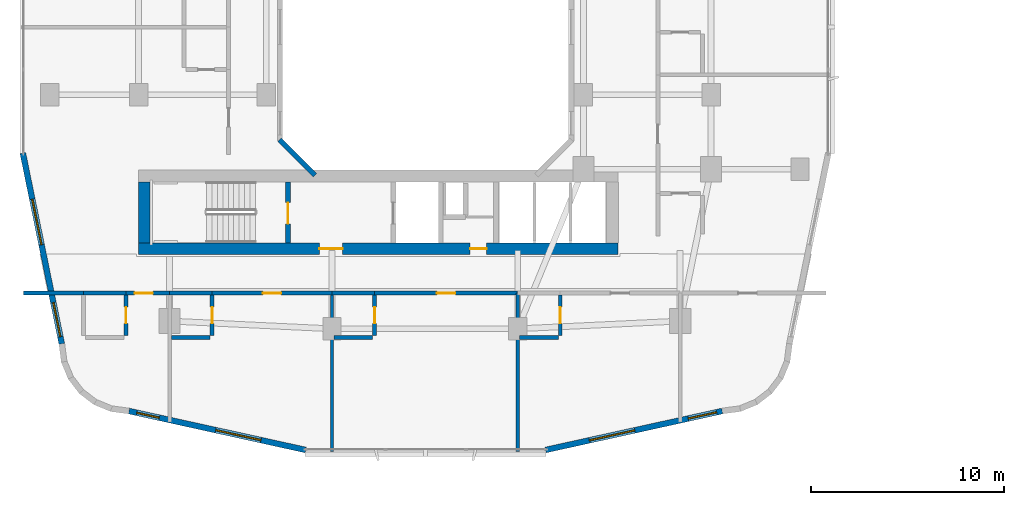
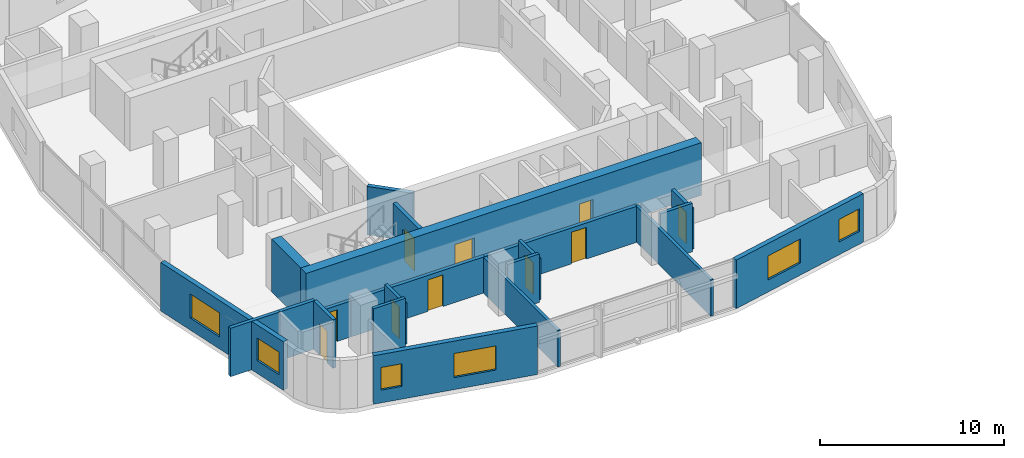
# One storey, part 13 of 27: 23 walls, 10 doors, 6 windows, 16 openings.
"""IFC4 building model written with IfcOpenShell, lengths in metres."""

from ifc_helpers import new_model, si_unit, derived_unit, direction, frame, frame_2d, origin, place, context, subcontext, project, spatial, rectangle, extrude, material, layer, layer_set, type_object, element, fill, save


model = new_model("IFC4")

# Units and contexts
model_context = context("Model", 3, precision=1e-05, world=origin(), true_north=direction((0.0, 1.0)))
body_context = subcontext(model_context, "Body", "Model", "MODEL_VIEW")
ifc_project = project(units=[si_unit("LENGTHUNIT", "METRE"), si_unit("AREAUNIT", "SQUARE_METRE"), si_unit("VOLUMEUNIT", "CUBIC_METRE"), si_unit("PLANEANGLEUNIT", "RADIAN"), si_unit("MASSUNIT", "GRAM", prefix="KILO"), derived_unit("THERMALTRANSMITTANCEUNIT", [(si_unit("POWERUNIT", "WATT"), 1), (si_unit("LENGTHUNIT", "METRE"), -2), (si_unit("THERMODYNAMICTEMPERATUREUNIT", "KELVIN"), -1)])], contexts=[model_context])

# Site, building, storey
site_placement = place(None, origin())
site = spatial("IfcSite", under=ifc_project, at=site_placement, CompositionType="ELEMENT")
building_placement = place(site_placement, origin())
building = spatial("IfcBuilding", under=site, at=building_placement, Name="Kivonza Crest Hotel", CompositionType="ELEMENT")
storey_placement = place(building_placement, frame((0.0, 0.0, 31.0)))
storey = spatial("IfcBuildingStorey", under=building, at=storey_placement, Name="L07", CompositionType="ELEMENT", Elevation=31.0)

# Walls
ifc_material_1 = material(Name="High-density acoustic masonry inter-tenancy wall", Category="masonry")
ifc_layer_1 = layer(ifc_material_1, 0.179931640625)
ifc_layer_set_1 = layer_set([ifc_layer_1], Name="High-density acoustic masonry inter-tenancy wall")
wall_type_1 = type_object("IfcWallType", Name="WL-ACOU-180", PredefinedType="SOLIDWALL", material=ifc_layer_set_1)
for number, where, z_axis, x_axis, name in (
    (1, (16.199951171875, 3.06005859375, 0.0), (0.0, 0.0, 1.0), (0.0, 1.0, 0.0), "L07 interior partition WA-L07-T1S-DIV2"),
    (2, (25.800048828125, 3.06005859375, 0.0), (0.0, 0.0, 1.0), (0.0, 1.0, 0.0), "L07 interior partition WA-L07-T1S-DIV3"),
):
    element("IfcWall", number, at=place(storey_placement, frame(where, z_axis=z_axis, x_axis=x_axis)), inside=storey, type_object=wall_type_1, Name=name, PredefinedType="SOLIDWALL", context=body_context, shape_type="SweptSolid", body=[
        extrude(rectangle(XDim=8.18994140625, YDim=0.179931640625, at=frame_2d((4.094970703125, 0.0))), origin(), (0.0, 0.0, 1.0), 2.39501953125),
    ])
ifc_material_2 = material(Name="Autoclaved aerated concrete blockwork", Category="masonry")
ifc_layer_2 = layer(ifc_material_2, 0.219970703125)
ifc_layer_set_2 = layer_set([ifc_layer_2], Name="Autoclaved aerated concrete blockwork")
wall_type_2 = type_object("IfcWallType", Name="WL-ACOU-220", PredefinedType="SOLIDWALL", material=ifc_layer_set_2)
wall_1_placement = place(storey_placement, frame((0.239990234375, 11.25, 0.0), z_axis=(0.0, 0.0, 1.0), x_axis=(1.0, 0.0, 0.0)))
element("IfcWall", 3, at=wall_1_placement, inside=storey, type_object=wall_type_2, Name="L07 interior partition WA-L07-S04-XCORR", PredefinedType="SOLIDWALL", context=body_context, shape_type="SweptSolid", body=[
    extrude(rectangle(XDim=3.110107421875, YDim=0.219970703125, at=frame_2d((1.55517578125, 0.0))), origin(), (0.0, 0.0, 1.0), 3.219970703125),
])
wall_2_placement = place(storey_placement, frame((3.35009765625, 11.25, 0.0), z_axis=(0.0, 0.0, 1.0), x_axis=(1.0, 0.0, 0.0)))
element("IfcWall", 4, at=wall_2_placement, inside=storey, type_object=wall_type_2, Name="L07 interior partition WA-L07-S04-BCORR", PredefinedType="SOLIDWALL", context=body_context, shape_type="SweptSolid", body=[
    extrude(rectangle(XDim=2.199951171875, YDim=0.219970703125, at=frame_2d((1.10009765625, 0.0))), origin(), (0.0, 0.0, 1.0), 3.219970703125),
])

# Wall, opening, door
wall_3_placement = place(storey_placement, frame((5.550048828125, 11.25, 0.0), z_axis=(0.0, 0.0, 1.0), x_axis=(1.0, 0.0, 0.0)))
wall_3 = element("IfcWall", 5, at=wall_3_placement, inside=storey, type_object=wall_type_2, Name="L07 interior partition WA-L07-S04-MCORR", PredefinedType="SOLIDWALL", context=body_context, shape_type="SweptSolid", body=[
    extrude(rectangle(XDim=2.25, YDim=0.219970703125, at=frame_2d((1.125, 0.0))), origin(), (0.0, 0.0, 1.0), 2.39501953125),
])
opening_1_placement = place(wall_3_placement, frame((0.43994140625, 0.0, 0.0)))
opening_1 = element("IfcOpeningElement", 6, at=opening_1_placement, cuts=wall_3, Name="Opening DU-60", PredefinedType="OPENING", context=body_context, shape_type="SweptSolid", body=[
    extrude(rectangle(XDim=0.949951171875, YDim=2.10009765625, at=frame_2d((0.47509765625, 1.050048828125))), frame((0.0, 0.1201171875, 0.0), z_axis=(0.0, -1.0, 0.0), x_axis=(1.0, 0.0, 0.0)), (0.0, 0.0, 1.0), 0.239990234375),
])
ifc_material_3 = material(Name="Hardwood timber oak", Category="wood")
door_type_1 = type_object("IfcDoorType", Name="DR-UNIT-950", OperationType="NOTDEFINED", PredefinedType="DOOR", material=ifc_material_3)
door_1_placement = place(opening_1_placement, frame((0.949951171875, 0.0, 0.0), z_axis=(0.0, 0.0, 1.0), x_axis=(-1.0, 0.0, 0.0)))
door_1 = element("IfcDoor", 7, at=door_1_placement, inside=storey, type_object=door_type_1, Name="L07 S04 guest unit entrance fire door", OperationType="SINGLE_SWING_RIGHT", OverallHeight=2.10009765625, OverallWidth=0.949951171875, PredefinedType="DOOR", context=body_context, shape_type="SweptSolid", body=[
    extrude(rectangle(XDim=0.949951171875, YDim=2.10009765625, at=frame_2d((0.47509765625, 1.050048828125))), frame((0.0, 0.02490234375, 0.0), z_axis=(0.0, -1.0, 0.0), x_axis=(1.0, 0.0, 0.0)), (0.0, 0.0, 1.0), 0.050048828125),
])
fill(opening_1, door_1)

# Wall
wall_4_placement = place(storey_placement, frame((7.800048828125, 11.25, 0.0), z_axis=(0.0, 0.0, 1.0), x_axis=(1.0, 0.0, 0.0)))
element("IfcWall", 8, at=wall_4_placement, inside=storey, type_object=wall_type_2, Name="L07 interior partition WA-L07-S05-BCORR", PredefinedType="SOLIDWALL", context=body_context, shape_type="SweptSolid", body=[
    extrude(rectangle(XDim=2.199951171875, YDim=0.219970703125, at=frame_2d((1.10009765625, 0.0))), origin(), (0.0, 0.0, 1.0), 2.39501953125),
])

# Wall, opening, door
wall_5_placement = place(storey_placement, frame((10.0, 11.25, 0.0), z_axis=(0.0, 0.0, 1.0), x_axis=(1.0, 0.0, 0.0)))
wall_5 = element("IfcWall", 9, at=wall_5_placement, inside=storey, type_object=wall_type_2, Name="L07 interior partition WA-L07-S05-MCORR", PredefinedType="SOLIDWALL", context=body_context, shape_type="SweptSolid", body=[
    extrude(rectangle(XDim=6.199951171875, YDim=0.219970703125, at=frame_2d((3.10009765625, 0.0))), origin(), (0.0, 0.0, 1.0), 2.39501953125),
])
opening_2_placement = place(wall_5_placement, frame((2.625, 0.0, 0.0)))
opening_2 = element("IfcOpeningElement", 10, at=opening_2_placement, cuts=wall_5, Name="Opening DU-60", PredefinedType="OPENING", context=body_context, shape_type="SweptSolid", body=[
    extrude(rectangle(XDim=0.949951171875, YDim=2.10009765625, at=frame_2d((0.47509765625, 1.050048828125))), frame((0.0, 0.1201171875, 0.0), z_axis=(0.0, -1.0, 0.0), x_axis=(1.0, 0.0, 0.0)), (0.0, 0.0, 1.0), 0.239990234375),
])
door_2_placement = place(opening_2_placement, frame((0.949951171875, 0.0, 0.0), z_axis=(0.0, 0.0, 1.0), x_axis=(-1.0, 0.0, 0.0)))
door_2 = element("IfcDoor", 11, at=door_2_placement, inside=storey, type_object=door_type_1, Name="L07 S05 guest unit entrance fire door", OperationType="SINGLE_SWING_LEFT", OverallHeight=2.10009765625, OverallWidth=0.949951171875, PredefinedType="DOOR", context=body_context, shape_type="SweptSolid", body=[
    extrude(rectangle(XDim=0.949951171875, YDim=2.10009765625, at=frame_2d((0.47509765625, 1.050048828125))), frame((0.0, 0.02490234375, 0.0), z_axis=(0.0, -1.0, 0.0), x_axis=(1.0, 0.0, 0.0)), (0.0, 0.0, 1.0), 0.050048828125),
])
fill(opening_2, door_2)

# Wall
wall_6_placement = place(storey_placement, frame((16.199951171875, 11.25, 0.0), z_axis=(0.0, 0.0, 1.0), x_axis=(1.0, 0.0, 0.0)))
element("IfcWall", 12, at=wall_6_placement, inside=storey, type_object=wall_type_2, Name="L07 interior partition WA-L07-S06-BCORR", PredefinedType="SOLIDWALL", context=body_context, shape_type="SweptSolid", body=[
    extrude(rectangle(XDim=2.199951171875, YDim=0.219970703125, at=frame_2d((1.10009765625, 0.0))), origin(), (0.0, 0.0, 1.0), 2.39501953125),
])

# Wall, opening, door
wall_7_placement = place(storey_placement, frame((18.39990234375, 11.25, 0.0), z_axis=(0.0, 0.0, 1.0), x_axis=(1.0, 0.0, 0.0)))
wall_7 = element("IfcWall", 13, at=wall_7_placement, inside=storey, type_object=wall_type_2, Name="L07 interior partition WA-L07-S06-MCORR", PredefinedType="SOLIDWALL", context=body_context, shape_type="SweptSolid", body=[
    extrude(rectangle(XDim=7.400146484375, YDim=0.219970703125, at=frame_2d((3.7001953125, 0.0))), origin(), (0.0, 0.0, 1.0), 2.39501953125),
])
opening_3_placement = place(wall_7_placement, frame((3.22509765625, 0.0, 0.0)))
opening_3 = element("IfcOpeningElement", 14, at=opening_3_placement, cuts=wall_7, Name="Opening DU-60", PredefinedType="OPENING", context=body_context, shape_type="SweptSolid", body=[
    extrude(rectangle(XDim=0.949951171875, YDim=2.10009765625, at=frame_2d((0.47509765625, 1.050048828125))), frame((0.0, 0.1201171875, 0.0), z_axis=(0.0, -1.0, 0.0), x_axis=(1.0, 0.0, 0.0)), (0.0, 0.0, 1.0), 0.239990234375),
])
door_3_placement = place(opening_3_placement, frame((0.949951171875, 0.0, 0.0), z_axis=(0.0, 0.0, 1.0), x_axis=(-1.0, 0.0, 0.0)))
door_3 = element("IfcDoor", 15, at=door_3_placement, inside=storey, type_object=door_type_1, Name="L07 S06 guest unit entrance fire door", OperationType="SINGLE_SWING_RIGHT", OverallHeight=2.10009765625, OverallWidth=0.949951171875, PredefinedType="DOOR", context=body_context, shape_type="SweptSolid", body=[
    extrude(rectangle(XDim=0.949951171875, YDim=2.10009765625, at=frame_2d((0.47509765625, 1.050048828125))), frame((0.0, 0.02490234375, 0.0), z_axis=(0.0, -1.0, 0.0), x_axis=(1.0, 0.0, 0.0)), (0.0, 0.0, 1.0), 0.050048828125),
])
fill(opening_3, door_3)

# Wall, openings, doors
ifc_material_4 = material(Name="Concrete C60/75", Category="concrete")
ifc_layer_3 = layer(ifc_material_4, 0.60009765625)
ifc_layer_set_3 = layer_set([ifc_layer_3], Name="Concrete C60/75")
wall_type_3 = type_object("IfcWallType", Name="WL-CORE-600", PredefinedType="SHEAR", material=ifc_layer_set_3)
wall_8_placement = place(storey_placement, frame((6.199951171875, 13.5400390625, 0.0), z_axis=(0.0, 0.0, 1.0), x_axis=(1.0, 0.0, 0.0)))
wall_8 = element("IfcWall", 16, at=wall_8_placement, inside=storey, type_object=wall_type_3, Name="Core wall T1-S South L07", PredefinedType="SHEAR", context=body_context, shape_type="SweptSolid", body=[
    extrude(rectangle(XDim=24.800048828125, YDim=0.60009765625, at=frame_2d((12.39990234375, 0.0))), origin(), (0.0, 0.0, 1.0), 3.5),
])
opening_4_placement = place(wall_8_placement, frame((9.35009765625, 0.0, 0.0)))
opening_4 = element("IfcOpeningElement", 17, at=opening_4_placement, cuts=wall_8, Name="Opening DF-60", PredefinedType="OPENING", context=body_context, shape_type="SweptSolid", body=[
    extrude(rectangle(XDim=1.199951171875, YDim=2.14990234375, at=frame_2d((0.60009765625, 1.074951171875))), frame((0.0, 0.31005859375, 0.0), z_axis=(0.0, -1.0, 0.0), x_axis=(1.0, 0.0, 0.0)), (0.0, 0.0, 1.0), 0.6201171875),
])
opening_5_placement = place(wall_8_placement, frame((17.139892578125, 0.0, 0.0)))
opening_5 = element("IfcOpeningElement", 18, at=opening_5_placement, cuts=wall_8, Name="Opening DF-60R", PredefinedType="OPENING", context=body_context, shape_type="SweptSolid", body=[
    extrude(rectangle(XDim=0.85009765625, YDim=2.10009765625, at=frame_2d((0.425048828125, 1.050048828125))), frame((0.0, 0.31005859375, 0.0), z_axis=(0.0, -1.0, 0.0), x_axis=(1.0, 0.0, 0.0)), (0.0, 0.0, 1.0), 0.6201171875),
])
door_type_2 = type_object("IfcDoorType", Name="DR-FD60-1200", OperationType="NOTDEFINED", PredefinedType="DOOR", material=ifc_material_3)
door_4_placement = place(opening_4_placement, frame((1.199951171875, 0.0, 0.0), z_axis=(0.0, 0.0, 1.0), x_axis=(-1.0, 0.0, 0.0)))
door_4 = element("IfcDoor", 19, at=door_4_placement, inside=storey, type_object=door_type_2, Name="L07 T1-S firefighting lobby fire door", OperationType="SINGLE_SWING_LEFT", OverallHeight=2.14990234375, OverallWidth=1.199951171875, PredefinedType="DOOR", context=body_context, shape_type="SweptSolid", body=[
    extrude(rectangle(XDim=1.199951171875, YDim=2.14990234375, at=frame_2d((0.60009765625, 1.074951171875))), frame((0.0, 0.02490234375, 0.0), z_axis=(0.0, -1.0, 0.0), x_axis=(1.0, 0.0, 0.0)), (0.0, 0.0, 1.0), 0.050048828125),
])
fill(opening_4, door_4)
door_type_3 = type_object("IfcDoorType", Name="DR-FD60-850", OperationType="NOTDEFINED", PredefinedType="DOOR", material=ifc_material_3)
door_5_placement = place(opening_5_placement, frame((0.85009765625, 0.0, 0.0), z_axis=(0.0, 0.0, 1.0), x_axis=(-1.0, 0.0, 0.0)))
door_5 = element("IfcDoor", 20, at=door_5_placement, inside=storey, type_object=door_type_3, Name="L07 T1-S core room door", OperationType="SINGLE_SWING_RIGHT", OverallHeight=2.10009765625, OverallWidth=0.85009765625, PredefinedType="DOOR", context=body_context, shape_type="SweptSolid", body=[
    extrude(rectangle(XDim=0.85009765625, YDim=2.10009765625, at=frame_2d((0.425048828125, 1.050048828125))), frame((0.0, 0.02490234375, 0.0), z_axis=(0.0, -1.0, 0.0), x_axis=(1.0, 0.0, 0.0)), (0.0, 0.0, 1.0), 0.050048828125),
])
fill(opening_5, door_5)

# Walls
wall_9_placement = place(storey_placement, frame((6.5, 13.840087890625, 0.0), z_axis=(0.0, 0.0, 1.0), x_axis=(0.0, 1.0, 0.0)))
element("IfcWall", 21, at=wall_9_placement, inside=storey, type_object=wall_type_3, Name="Core wall T1-S West L07", PredefinedType="SHEAR", context=body_context, shape_type="SweptSolid", body=[
    extrude(rectangle(XDim=3.159912109375, YDim=0.60009765625, at=frame_2d((1.580078125, 0.0))), origin(), (0.0, 0.0, 1.0), 3.5),
])
ifc_material_5 = material(Name="Precast concrete C40/50", Category="concrete")
ifc_layer_4 = layer(ifc_material_5, 0.260009765625)
ifc_layer_set_4 = layer_set([ifc_layer_4], Name="Precast concrete C40/50")
wall_type_4 = type_object("IfcWallType", Name="WL-EXT-260", PredefinedType="STANDARD", material=ifc_layer_set_4)
wall_10_placement = place(storey_placement, frame((13.48388671875, 19.172119140625, 0.0), z_axis=(0.0, 0.0, 1.0), x_axis=(0.707106781187, -0.707106781187, 0.0)))
element("IfcWall", 22, at=wall_10_placement, inside=storey, type_object=wall_type_4, Name="L07 T1 light-well exterior wall 8", PredefinedType="STANDARD", context=body_context, shape_type="SweptSolid", body=[
    extrude(rectangle(XDim=2.593994140625, YDim=0.260009765625, at=frame_2d((1.296875, 0.0))), origin(), (0.0, 0.0, 1.0), 3.219970703125),
])

# Wall, openings, windows
ifc_layer_5 = layer(ifc_material_5, 0.300048828125)
ifc_layer_set_5 = layer_set([ifc_layer_5], Name="Precast concrete C40/50")
wall_type_5 = type_object("IfcWallType", Name="WL-EXT-300", PredefinedType="STANDARD", material=ifc_layer_set_5)
wall_11_placement = place(storey_placement, frame((5.7041015625, 5.14794921875, 0.0), z_axis=(0.0, 0.0, 1.0), x_axis=(0.9765437942, -0.215318875183, 0.0)))
wall_11 = element("IfcWall", 23, at=wall_11_placement, inside=storey, type_object=wall_type_5, Name="L07 T1 exterior insulated wall 7", PredefinedType="STANDARD", context=body_context, shape_type="SweptSolid", body=[
    extrude(rectangle(XDim=9.353271484375, YDim=0.300048828125, at=frame_2d((4.6767578125, 0.0))), origin(), (0.0, 0.0, 1.0), 3.219970703125),
])
opening_6_placement = place(wall_11_placement, frame((0.407958984375, 0.0, 0.85009765625)))
opening_6 = element("IfcOpeningElement", 24, at=opening_6_placement, cuts=wall_11, Name="Opening WN-01", PredefinedType="OPENING", context=body_context, shape_type="SweptSolid", body=[
    extrude(rectangle(XDim=1.199951171875, YDim=1.5, at=frame_2d((0.60009765625, 0.75))), frame((0.0, 0.16015625, 0.0), z_axis=(0.0, -1.0, 0.0), x_axis=(1.0, 0.0, 0.0)), (0.0, 0.0, 1.0), 0.320068359375),
])
opening_7_placement = place(wall_11_placement, frame((4.590087890625, 0.0, 0.800048828125)))
opening_7 = element("IfcOpeningElement", 25, at=opening_7_placement, cuts=wall_11, Name="Opening WN-05", PredefinedType="OPENING", context=body_context, shape_type="SweptSolid", body=[
    extrude(rectangle(XDim=2.39990234375, YDim=1.60009765625, at=frame_2d((1.199951171875, 0.800048828125))), frame((0.0, 0.16015625, 0.0), z_axis=(0.0, -1.0, 0.0), x_axis=(1.0, 0.0, 0.0)), (0.0, 0.0, 1.0), 0.320068359375),
])
ifc_material_6 = material(Name="Thermally broken bronze aluminium and low-E double glazing", Category="aluminium")
window_type_1 = type_object("IfcWindowType", Name="WN-120x150", PartitioningType="SINGLE_PANEL", PredefinedType="WINDOW", material=ifc_material_6)
window_1_placement = place(opening_6_placement, origin())
window_1 = element("IfcWindow", 26, at=window_1_placement, inside=storey, type_object=window_type_1, Name="L07 T1 facade window 7 bay 1", OverallHeight=1.5, OverallWidth=1.199951171875, PartitioningType="SINGLE_PANEL", PredefinedType="WINDOW", context=body_context, shape_type="SweptSolid", body=[
    extrude(rectangle(XDim=1.199951171875, YDim=1.5, at=frame_2d((0.60009765625, 0.75))), frame((0.0, 0.030029296875, 0.0), z_axis=(0.0, -1.0, 0.0), x_axis=(1.0, 0.0, 0.0)), (0.0, 0.0, 1.0), 0.06005859375),
])
fill(opening_6, window_1)
window_type_2 = type_object("IfcWindowType", Name="WN-240x160", PartitioningType="TRIPLE_PANEL_VERTICAL", PredefinedType="WINDOW", material=ifc_material_6)
window_2_placement = place(opening_7_placement, origin())
window_2 = element("IfcWindow", 27, at=window_2_placement, inside=storey, type_object=window_type_2, Name="L07 T1 facade window 7 bay 2", OverallHeight=1.60009765625, OverallWidth=2.39990234375, PartitioningType="SINGLE_PANEL", PredefinedType="WINDOW", context=body_context, shape_type="SweptSolid", body=[
    extrude(rectangle(XDim=2.39990234375, YDim=1.60009765625, at=frame_2d((1.199951171875, 0.800048828125))), frame((0.0, 0.030029296875, 0.0), z_axis=(0.0, -1.0, 0.0), x_axis=(1.0, 0.0, 0.0)), (0.0, 0.0, 1.0), 0.06005859375),
])
fill(opening_7, window_2)

wall_12_placement = place(storey_placement, frame((27.241943359375, 3.134033203125, 0.0), z_axis=(0.0, 0.0, 1.0), x_axis=(0.97654500432, 0.215313386808, 0.0)))
wall_12 = element("IfcWall", 28, at=wall_12_placement, inside=storey, type_object=wall_type_5, Name="L07 T1 exterior insulated wall 9", PredefinedType="STANDARD", context=body_context, shape_type="SweptSolid", body=[
    extrude(rectangle(XDim=9.353515625, YDim=0.300048828125, at=frame_2d((4.6767578125, 0.0))), origin(), (0.0, 0.0, 1.0), 3.219970703125),
])
opening_8_placement = place(wall_12_placement, frame((2.322998046875, 0.0, 0.800048828125)))
opening_8 = element("IfcOpeningElement", 29, at=opening_8_placement, cuts=wall_12, Name="Opening WN-05", PredefinedType="OPENING", context=body_context, shape_type="SweptSolid", body=[
    extrude(rectangle(XDim=2.39990234375, YDim=1.60009765625, at=frame_2d((1.199951171875, 0.800048828125))), frame((0.0, 0.16015625, 0.0), z_axis=(0.0, -1.0, 0.0), x_axis=(1.0, 0.0, 0.0)), (0.0, 0.0, 1.0), 0.320068359375),
])
opening_9_placement = place(wall_12_placement, frame((7.554931640625, 0.0, 0.85009765625)))
opening_9 = element("IfcOpeningElement", 30, at=opening_9_placement, cuts=wall_12, Name="Opening WN-02", PredefinedType="OPENING", context=body_context, shape_type="SweptSolid", body=[
    extrude(rectangle(XDim=1.5, YDim=1.5, at=frame_2d((0.75, 0.75))), frame((0.0, 0.16015625, 0.0), z_axis=(0.0, -1.0, 0.0), x_axis=(1.0, 0.0, 0.0)), (0.0, 0.0, 1.0), 0.320068359375),
])
window_type_3 = type_object("IfcWindowType", Name="WN-150x150", PartitioningType="DOUBLE_PANEL_VERTICAL", PredefinedType="WINDOW", material=ifc_material_6)
window_3_placement = place(opening_9_placement, origin())
window_3 = element("IfcWindow", 31, at=window_3_placement, inside=storey, type_object=window_type_3, Name="L07 T1 facade window 9 bay 2", OverallHeight=1.5, OverallWidth=1.5, PartitioningType="SINGLE_PANEL", PredefinedType="WINDOW", context=body_context, shape_type="SweptSolid", body=[
    extrude(rectangle(XDim=1.5, YDim=1.5, at=frame_2d((0.75, 0.75))), frame((0.0, 0.030029296875, 0.0), z_axis=(0.0, -1.0, 0.0), x_axis=(1.0, 0.0, 0.0)), (0.0, 0.0, 1.0), 0.06005859375),
])
fill(opening_9, window_3)
window_4_placement = place(opening_8_placement, origin())
window_4 = element("IfcWindow", 32, at=window_4_placement, inside=storey, type_object=window_type_2, Name="L07 T1 facade window 9 bay 1", OverallHeight=1.60009765625, OverallWidth=2.39990234375, PartitioningType="SINGLE_PANEL", PredefinedType="WINDOW", context=body_context, shape_type="SweptSolid", body=[
    extrude(rectangle(XDim=2.39990234375, YDim=1.60009765625, at=frame_2d((1.199951171875, 0.800048828125))), frame((0.0, 0.030029296875, 0.0), z_axis=(0.0, -1.0, 0.0), x_axis=(1.0, 0.0, 0.0)), (0.0, 0.0, 1.0), 0.06005859375),
])
fill(opening_8, window_4)

wall_13_placement = place(storey_placement, frame((0.216064453125, 18.48388671875, 0.0), z_axis=(0.0, 0.0, 1.0), x_axis=(0.199990901713, -0.979797754249, 0.0)))
wall_13 = element("IfcWall", 33, at=wall_13_placement, inside=storey, type_object=wall_type_5, Name="L07 T1 exterior insulated wall 36", PredefinedType="STANDARD", context=body_context, shape_type="SweptSolid", body=[
    extrude(rectangle(XDim=10.065185546875, YDim=0.300048828125, at=frame_2d((5.03271484375, 0.0))), origin(), (0.0, 0.0, 1.0), 3.219970703125),
])
opening_10_placement = place(wall_13_placement, frame((2.428955078125, 0.0, 0.800048828125)))
opening_10 = element("IfcOpeningElement", 34, at=opening_10_placement, cuts=wall_13, Name="Opening WN-05", PredefinedType="OPENING", context=body_context, shape_type="SweptSolid", body=[
    extrude(rectangle(XDim=2.39990234375, YDim=1.60009765625, at=frame_2d((1.199951171875, 0.800048828125))), frame((0.0, 0.16015625, 0.0), z_axis=(0.0, -1.0, 0.0), x_axis=(1.0, 0.0, 0.0)), (0.0, 0.0, 1.0), 0.320068359375),
])
opening_11_placement = place(wall_13_placement, frame((7.886962890625, 0.0, 0.85009765625)))
opening_11 = element("IfcOpeningElement", 35, at=opening_11_placement, cuts=wall_13, Name="Opening WN-03", PredefinedType="OPENING", context=body_context, shape_type="SweptSolid", body=[
    extrude(rectangle(XDim=1.800048828125, YDim=1.5, at=frame_2d((0.89990234375, 0.75))), frame((0.0, 0.16015625, 0.0), z_axis=(0.0, -1.0, 0.0), x_axis=(1.0, 0.0, 0.0)), (0.0, 0.0, 1.0), 0.320068359375),
])
window_type_4 = type_object("IfcWindowType", Name="WN-180x150", PartitioningType="DOUBLE_PANEL_VERTICAL", PredefinedType="WINDOW", material=ifc_material_6)
window_5_placement = place(opening_11_placement, origin())
window_5 = element("IfcWindow", 36, at=window_5_placement, inside=storey, type_object=window_type_4, Name="L07 T1 facade window 36 bay 2", OverallHeight=1.5, OverallWidth=1.800048828125, PartitioningType="SINGLE_PANEL", PredefinedType="WINDOW", context=body_context, shape_type="SweptSolid", body=[
    extrude(rectangle(XDim=1.800048828125, YDim=1.5, at=frame_2d((0.89990234375, 0.75))), frame((0.0, 0.030029296875, 0.0), z_axis=(0.0, -1.0, 0.0), x_axis=(1.0, 0.0, 0.0)), (0.0, 0.0, 1.0), 0.06005859375),
])
fill(opening_11, window_5)
window_6_placement = place(opening_10_placement, origin())
window_6 = element("IfcWindow", 37, at=window_6_placement, inside=storey, type_object=window_type_2, Name="L07 T1 facade window 36 bay 1", OverallHeight=1.60009765625, OverallWidth=2.39990234375, PartitioningType="SINGLE_PANEL", PredefinedType="WINDOW", context=body_context, shape_type="SweptSolid", body=[
    extrude(rectangle(XDim=2.39990234375, YDim=1.60009765625, at=frame_2d((1.199951171875, 0.800048828125))), frame((0.0, 0.030029296875, 0.0), z_axis=(0.0, -1.0, 0.0), x_axis=(1.0, 0.0, 0.0)), (0.0, 0.0, 1.0), 0.06005859375),
])
fill(opening_10, window_6)

# Wall, opening, door
ifc_material_7 = material(Name="Moisture-resistant plumbing chase partition wall", Category="gypsum")
ifc_layer_6 = layer(ifc_material_7, 0.199951171875)
ifc_layer_set_6 = layer_set([ifc_layer_6], Name="Moisture-resistant plumbing chase partition wall")
wall_type_6 = type_object("IfcWallType", Name="WL-PLUMB-200", PredefinedType="PLUMBINGWALL", material=ifc_layer_set_6)
wall_14_placement = place(storey_placement, frame((5.550048828125, 9.050048828125, 0.0), z_axis=(0.0, 0.0, 1.0), x_axis=(0.0, 1.0, 0.0)))
wall_14 = element("IfcWall", 38, at=wall_14_placement, inside=storey, type_object=wall_type_6, Name="L07 interior partition WW-L07-S04-BV", PredefinedType="PLUMBINGWALL", context=body_context, shape_type="SweptSolid", body=[
    extrude(rectangle(XDim=2.099853515625, YDim=0.199951171875, at=frame_2d((1.0498046875, 0.0))), origin(), (0.0, 0.0, 1.0), 3.219970703125),
])
opening_12_placement = place(wall_14_placement, frame((0.625, 0.0, 0.0)))
opening_12 = element("IfcOpeningElement", 39, at=opening_12_placement, cuts=wall_14, Name="Opening DI-85", PredefinedType="OPENING", context=body_context, shape_type="SweptSolid", body=[
    extrude(rectangle(XDim=0.85009765625, YDim=2.10009765625, at=frame_2d((0.425048828125, 1.050048828125))), frame((0.0, 0.10986328125, 0.0), z_axis=(0.0, -1.0, 0.0), x_axis=(1.0, 0.0, 0.0)), (0.0, 0.0, 1.0), 0.219970703125),
])
door_type_4 = type_object("IfcDoorType", Name="DR-INT-850", OperationType="NOTDEFINED", PredefinedType="DOOR", material=ifc_material_3)
door_6_placement = place(opening_12_placement, frame((0.85009765625, 0.0, 0.0), z_axis=(0.0, 0.0, 1.0), x_axis=(-1.0, 0.0, 0.0)))
door_6 = element("IfcDoor", 40, at=door_6_placement, inside=storey, type_object=door_type_4, Name="L07 S04 en-suite bathroom door", OperationType="SINGLE_SWING_LEFT", OverallHeight=2.10009765625, OverallWidth=0.85009765625, PredefinedType="DOOR", context=body_context, shape_type="SweptSolid", body=[
    extrude(rectangle(XDim=0.85009765625, YDim=2.10009765625, at=frame_2d((0.425048828125, 1.050048828125))), frame((0.0, 0.02490234375, 0.0), z_axis=(0.0, -1.0, 0.0), x_axis=(1.0, 0.0, 0.0)), (0.0, 0.0, 1.0), 0.050048828125),
])
fill(opening_12, door_6)

wall_15_placement = place(storey_placement, frame((10.0, 9.050048828125, 0.0), z_axis=(0.0, 0.0, 1.0), x_axis=(0.0, 1.0, 0.0)))
wall_15 = element("IfcWall", 41, at=wall_15_placement, inside=storey, type_object=wall_type_6, Name="L07 interior partition WW-L07-S05-BV", PredefinedType="PLUMBINGWALL", context=body_context, shape_type="SweptSolid", body=[
    extrude(rectangle(XDim=2.099853515625, YDim=0.199951171875, at=frame_2d((1.0498046875, 0.0))), origin(), (0.0, 0.0, 1.0), 2.7451171875),
])
opening_13_placement = place(wall_15_placement, frame((0.625, 0.0, 0.0)))
opening_13 = element("IfcOpeningElement", 42, at=opening_13_placement, cuts=wall_15, Name="Opening DI-85", PredefinedType="OPENING", context=body_context, shape_type="SweptSolid", body=[
    extrude(rectangle(XDim=0.85009765625, YDim=2.10009765625, at=frame_2d((0.425048828125, 1.050048828125))), frame((0.0, 0.10986328125, 0.0), z_axis=(0.0, -1.0, 0.0), x_axis=(1.0, 0.0, 0.0)), (0.0, 0.0, 1.0), 0.219970703125),
])
door_7_placement = place(opening_13_placement, frame((0.85009765625, 0.0, 0.0), z_axis=(0.0, 0.0, 1.0), x_axis=(-1.0, 0.0, 0.0)))
door_7 = element("IfcDoor", 43, at=door_7_placement, inside=storey, type_object=door_type_4, Name="L07 S05 en-suite bathroom door", OperationType="SINGLE_SWING_RIGHT", OverallHeight=2.10009765625, OverallWidth=0.85009765625, PredefinedType="DOOR", context=body_context, shape_type="SweptSolid", body=[
    extrude(rectangle(XDim=0.85009765625, YDim=2.10009765625, at=frame_2d((0.425048828125, 1.050048828125))), frame((0.0, 0.02490234375, 0.0), z_axis=(0.0, -1.0, 0.0), x_axis=(1.0, 0.0, 0.0)), (0.0, 0.0, 1.0), 0.050048828125),
])
fill(opening_13, door_7)

# Wall
wall_16_placement = place(storey_placement, frame((7.89990234375, 8.949951171875, 0.0), z_axis=(0.0, 0.0, 1.0), x_axis=(1.0, 0.0, 0.0)))
element("IfcWall", 44, at=wall_16_placement, inside=storey, type_object=wall_type_6, Name="L07 interior partition WW-L07-S05-BH", PredefinedType="PLUMBINGWALL", context=body_context, shape_type="SweptSolid", body=[
    extrude(rectangle(XDim=2.0, YDim=0.199951171875, at=frame_2d((1.0, 0.0))), origin(), (0.0, 0.0, 1.0), 3.219970703125),
])

# Wall, opening, door
wall_17_placement = place(storey_placement, frame((18.39990234375, 9.050048828125, 0.0), z_axis=(0.0, 0.0, 1.0), x_axis=(0.0, 1.0, 0.0)))
wall_17 = element("IfcWall", 45, at=wall_17_placement, inside=storey, type_object=wall_type_6, Name="L07 interior partition WW-L07-S06-BV", PredefinedType="PLUMBINGWALL", context=body_context, shape_type="SweptSolid", body=[
    extrude(rectangle(XDim=2.099853515625, YDim=0.199951171875, at=frame_2d((1.0498046875, 0.0))), origin(), (0.0, 0.0, 1.0), 2.7451171875),
])
opening_14_placement = place(wall_17_placement, frame((0.625, 0.0, 0.0)))
opening_14 = element("IfcOpeningElement", 46, at=opening_14_placement, cuts=wall_17, Name="Opening DI-85", PredefinedType="OPENING", context=body_context, shape_type="SweptSolid", body=[
    extrude(rectangle(XDim=0.85009765625, YDim=2.10009765625, at=frame_2d((0.425048828125, 1.050048828125))), frame((0.0, 0.10986328125, 0.0), z_axis=(0.0, -1.0, 0.0), x_axis=(1.0, 0.0, 0.0)), (0.0, 0.0, 1.0), 0.219970703125),
])
door_8_placement = place(opening_14_placement, frame((0.85009765625, 0.0, 0.0), z_axis=(0.0, 0.0, 1.0), x_axis=(-1.0, 0.0, 0.0)))
door_8 = element("IfcDoor", 47, at=door_8_placement, inside=storey, type_object=door_type_4, Name="L07 S06 en-suite bathroom door", OperationType="SINGLE_SWING_LEFT", OverallHeight=2.10009765625, OverallWidth=0.85009765625, PredefinedType="DOOR", context=body_context, shape_type="SweptSolid", body=[
    extrude(rectangle(XDim=0.85009765625, YDim=2.10009765625, at=frame_2d((0.425048828125, 1.050048828125))), frame((0.0, 0.02490234375, 0.0), z_axis=(0.0, -1.0, 0.0), x_axis=(1.0, 0.0, 0.0)), (0.0, 0.0, 1.0), 0.050048828125),
])
fill(opening_14, door_8)

# Wall
wall_18_placement = place(storey_placement, frame((16.300048828125, 8.949951171875, 0.0), z_axis=(0.0, 0.0, 1.0), x_axis=(1.0, 0.0, 0.0)))
element("IfcWall", 48, at=wall_18_placement, inside=storey, type_object=wall_type_6, Name="L07 interior partition WW-L07-S06-BH", PredefinedType="PLUMBINGWALL", context=body_context, shape_type="SweptSolid", body=[
    extrude(rectangle(XDim=2.0, YDim=0.199951171875, at=frame_2d((1.0, 0.0))), origin(), (0.0, 0.0, 1.0), 3.219970703125),
])

# Wall, opening, door
wall_19_placement = place(storey_placement, frame((28.0, 9.050048828125, 0.0), z_axis=(0.0, 0.0, 1.0), x_axis=(0.0, 1.0, 0.0)))
wall_19 = element("IfcWall", 49, at=wall_19_placement, inside=storey, type_object=wall_type_6, Name="L07 interior partition WW-L07-S07-BV", PredefinedType="PLUMBINGWALL", context=body_context, shape_type="SweptSolid", body=[
    extrude(rectangle(XDim=2.099853515625, YDim=0.199951171875, at=frame_2d((1.0498046875, 0.0))), origin(), (0.0, 0.0, 1.0), 2.7451171875),
])
opening_15_placement = place(wall_19_placement, frame((0.625, 0.0, 0.0)))
opening_15 = element("IfcOpeningElement", 50, at=opening_15_placement, cuts=wall_19, Name="Opening DI-85", PredefinedType="OPENING", context=body_context, shape_type="SweptSolid", body=[
    extrude(rectangle(XDim=0.85009765625, YDim=2.10009765625, at=frame_2d((0.425048828125, 1.050048828125))), frame((0.0, 0.10986328125, 0.0), z_axis=(0.0, -1.0, 0.0), x_axis=(1.0, 0.0, 0.0)), (0.0, 0.0, 1.0), 0.219970703125),
])
door_9_placement = place(opening_15_placement, frame((0.85009765625, 0.0, 0.0), z_axis=(0.0, 0.0, 1.0), x_axis=(-1.0, 0.0, 0.0)))
door_9 = element("IfcDoor", 51, at=door_9_placement, inside=storey, type_object=door_type_4, Name="L07 S07 en-suite bathroom door", OperationType="SINGLE_SWING_RIGHT", OverallHeight=2.10009765625, OverallWidth=0.85009765625, PredefinedType="DOOR", context=body_context, shape_type="SweptSolid", body=[
    extrude(rectangle(XDim=0.85009765625, YDim=2.10009765625, at=frame_2d((0.425048828125, 1.050048828125))), frame((0.0, 0.02490234375, 0.0), z_axis=(0.0, -1.0, 0.0), x_axis=(1.0, 0.0, 0.0)), (0.0, 0.0, 1.0), 0.050048828125),
])
fill(opening_15, door_9)

# Wall
wall_20_placement = place(storey_placement, frame((25.89990234375, 8.949951171875, 0.0), z_axis=(0.0, 0.0, 1.0), x_axis=(1.0, 0.0, 0.0)))
element("IfcWall", 52, at=wall_20_placement, inside=storey, type_object=wall_type_6, Name="L07 interior partition WW-L07-S07-BH", PredefinedType="PLUMBINGWALL", context=body_context, shape_type="SweptSolid", body=[
    extrude(rectangle(XDim=2.0, YDim=0.199951171875, at=frame_2d((1.0, 0.0))), origin(), (0.0, 0.0, 1.0), 3.219970703125),
])

# Wall, opening, door
ifc_material_8 = material(Name="Concrete C50/60", Category="concrete")
ifc_layer_7 = layer(ifc_material_8, 0.25)
ifc_layer_set_7 = layer_set([ifc_layer_7], Name="Concrete C50/60")
wall_type_7 = type_object("IfcWallType", Name="WL-SHAFT-250", PredefinedType="STANDARD", material=ifc_layer_set_7)
wall_21_placement = place(storey_placement, frame((13.925048828125, 13.840087890625, 0.0), z_axis=(0.0, 0.0, 1.0), x_axis=(0.0, 1.0, 0.0)))
wall_21 = element("IfcWall", 53, at=wall_21_placement, inside=storey, type_object=wall_type_7, Name="Core shaft wall T1-S STAIR L07", PredefinedType="STANDARD", context=body_context, shape_type="SweptSolid", body=[
    extrude(rectangle(XDim=3.159912109375, YDim=0.25, at=frame_2d((1.580078125, 0.0))), origin(), (0.0, 0.0, 1.0), 3.219970703125),
])
opening_16_placement = place(wall_21_placement, frame((0.97998046875, 0.0, 0.0)))
opening_16 = element("IfcOpeningElement", 54, at=opening_16_placement, cuts=wall_21, Name="Opening DF-120", PredefinedType="OPENING", context=body_context, shape_type="SweptSolid", body=[
    extrude(rectangle(XDim=1.10009765625, YDim=2.14990234375, at=frame_2d((0.550048828125, 1.074951171875))), frame((0.0, 0.135009765625, 0.0), z_axis=(0.0, -1.0, 0.0), x_axis=(1.0, 0.0, 0.0)), (0.0, 0.0, 1.0), 0.27001953125),
])
ifc_material_9 = material(Name="Galvanised steel", Category="steel")
door_type_5 = type_object("IfcDoorType", Name="DR-FD120-1100", OperationType="NOTDEFINED", PredefinedType="DOOR", material=ifc_material_9)
door_10_placement = place(opening_16_placement, frame((1.10009765625, 0.0, 0.0), z_axis=(0.0, 0.0, 1.0), x_axis=(-1.0, 0.0, 0.0)))
door_10 = element("IfcDoor", 55, at=door_10_placement, inside=storey, type_object=door_type_5, Name="L07 T1-S stair fire door", OperationType="SINGLE_SWING_RIGHT", OverallHeight=2.14990234375, OverallWidth=1.10009765625, PredefinedType="DOOR", context=body_context, shape_type="SweptSolid", body=[
    extrude(rectangle(XDim=1.10009765625, YDim=2.14990234375, at=frame_2d((0.550048828125, 1.074951171875))), frame((0.0, 0.02490234375, 0.0), z_axis=(0.0, -1.0, 0.0), x_axis=(1.0, 0.0, 0.0)), (0.0, 0.0, 1.0), 0.050048828125),
])
fill(opening_16, door_10)

save(model, "model.ifc")
